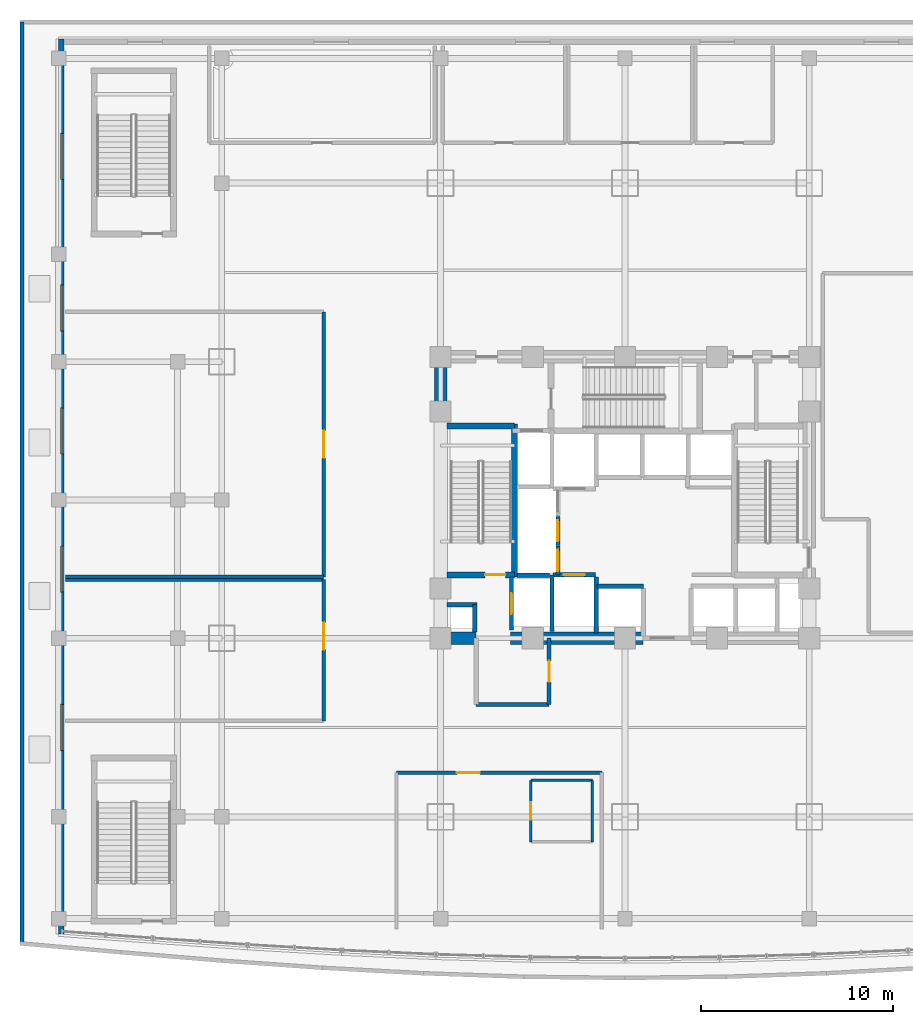
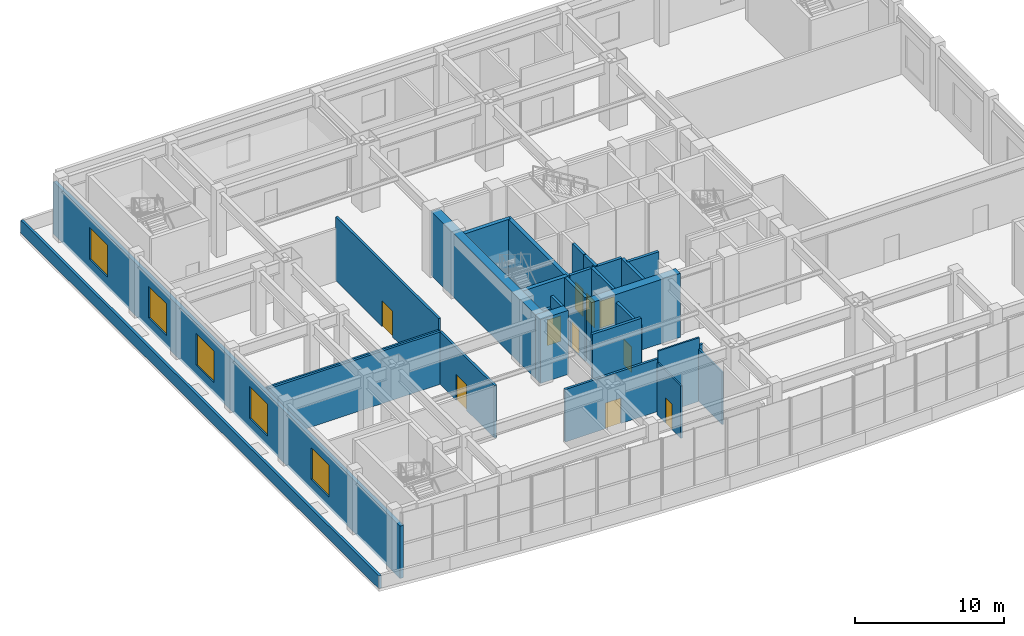
# One storey, part 12 of 24: 28 walls, 10 doors, 5 windows, 15 openings.
"""IFC4 building model written with IfcOpenShell, lengths in metres."""

from ifc_helpers import new_model, si_unit, direction, frame, frame_2d, origin, place, context, subcontext, project, spatial, rectangle, extrude, material, layer, layer_set, type_object, element, fill, save


model = new_model("IFC4")

# Units and contexts
model_context = context("Model", 3, precision=1e-05, world=origin(), true_north=direction((0.0, 1.0)))
body_context = subcontext(model_context, "Body", "Model", "MODEL_VIEW")
ifc_project = project(units=[si_unit("LENGTHUNIT", "METRE"), si_unit("AREAUNIT", "SQUARE_METRE"), si_unit("VOLUMEUNIT", "CUBIC_METRE"), si_unit("PLANEANGLEUNIT", "RADIAN"), si_unit("MASSUNIT", "GRAM", prefix="KILO")], contexts=[model_context])

# Site, building, storey
site_placement = place(None, origin())
site = spatial("IfcSite", under=ifc_project, at=site_placement, CompositionType="ELEMENT")
building_placement = place(site_placement, origin())
building = spatial("IfcBuilding", under=site, at=building_placement, Name="Vantalir Tower", CompositionType="ELEMENT")
storey_placement = place(building_placement, frame((0.0, 0.0, 16.0)))
storey = spatial("IfcBuildingStorey", under=building, at=storey_placement, Name="L03", CompositionType="ELEMENT", Elevation=16.0)

# Wall, opening, door
ifc_material_1 = material(Name="Moisture-resistant en-suite partition", Category="gypsum")
ifc_layer_1 = layer(ifc_material_1, 0.125)
ifc_layer_set_1 = layer_set([ifc_layer_1], Name="Moisture-resistant en-suite partition")
wall_type_1 = type_object("IfcWallType", Name="WL-BATH-125", PredefinedType="PARTITIONING", material=ifc_layer_set_1)
wall_1_placement = place(storey_placement, frame((26.60009765625, 7.199951171875, 0.0), z_axis=(0.0, 0.0, 1.0), x_axis=(0.0, 1.0, 0.0)))
wall_1 = element("IfcWall", 1, at=wall_1_placement, inside=storey, type_object=wall_type_1, Name="L03 VIP En-suite West Wall", PredefinedType="PARTITIONING", context=body_context, shape_type="SweptSolid", body=[
    extrude(rectangle(XDim=3.199951171875, YDim=0.125, at=frame_2d((1.60009765625, 0.0))), origin(), (0.0, 0.0, 1.0), 4.298095703125),
])
opening_1_placement = place(wall_1_placement, frame((1.14990234375, 0.0, 0.0)))
opening_1 = element("IfcOpeningElement", 2, at=opening_1_placement, cuts=wall_1, Name="Opening D-WC", PredefinedType="OPENING", context=body_context, shape_type="SweptSolid", body=[
    extrude(rectangle(XDim=0.89990234375, YDim=2.10009765625, at=frame_2d((0.449951171875, 1.050048828125))), frame((0.0, 0.072509765625, 0.0), z_axis=(0.0, -1.0, 0.0), x_axis=(1.0, 0.0, 0.0)), (0.0, 0.0, 1.0), 0.14501953125),
])
ifc_material_2 = material(Name="Moisture-resistant hardwood door", Category="wood")
door_type_1 = type_object("IfcDoorType", Name="DR-ENSUITE-900", OperationType="NOTDEFINED", PredefinedType="DOOR", material=ifc_material_2)
door_1_placement = place(opening_1_placement, frame((0.89990234375, 0.0, 0.0), z_axis=(0.0, 0.0, 1.0), x_axis=(-1.0, 0.0, 0.0)))
door_1 = element("IfcDoor", 3, at=door_1_placement, inside=storey, type_object=door_type_1, Name="L03 VIP En-suite Door", OperationType="SINGLE_SWING_RIGHT", OverallHeight=2.10009765625, OverallWidth=0.89990234375, PredefinedType="DOOR", context=body_context, shape_type="SweptSolid", body=[
    extrude(rectangle(XDim=0.89990234375, YDim=2.10009765625, at=frame_2d((0.449951171875, 1.050048828125))), frame((0.0, 0.02490234375, 0.0), z_axis=(0.0, -1.0, 0.0), x_axis=(1.0, 0.0, 0.0)), (0.0, 0.0, 1.0), 0.050048828125),
])
fill(opening_1, door_1)

# Walls
wall_2_placement = place(storey_placement, frame((29.800048828125, 7.199951171875, 0.0), z_axis=(0.0, 0.0, 1.0), x_axis=(0.0, 1.0, 0.0)))
element("IfcWall", 4, at=wall_2_placement, inside=storey, type_object=wall_type_1, Name="L03 VIP En-suite East Wall", PredefinedType="PARTITIONING", context=body_context, shape_type="SweptSolid", body=[
    extrude(rectangle(XDim=3.199951171875, YDim=0.125, at=frame_2d((1.60009765625, 0.0))), origin(), (0.0, 0.0, 1.0), 4.298095703125),
])
wall_3_placement = place(storey_placement, frame((26.60009765625, 10.39990234375, 0.0), z_axis=(0.0, 0.0, 1.0), x_axis=(1.0, 0.0, 0.0)))
element("IfcWall", 5, at=wall_3_placement, inside=storey, type_object=wall_type_1, Name="L03 VIP En-suite North Wall", PredefinedType="PARTITIONING", context=body_context, shape_type="SweptSolid", body=[
    extrude(rectangle(XDim=3.199951171875, YDim=0.125, at=frame_2d((1.60009765625, 0.0))), origin(), (0.0, 0.0, 1.0), 5.22998046875),
])
ifc_material_3 = material(Name="Concrete C60/75", Category="concrete")
ifc_layer_2 = layer(ifc_material_3, 0.64990234375)
ifc_layer_set_2 = layer_set([ifc_layer_2], Name="Concrete C60/75")
wall_type_2 = type_object("IfcWallType", Name="WL-CORE-650", PredefinedType="SHEAR", material=ifc_layer_set_2)
wall_4_placement = place(storey_placement, frame((21.574951171875, 17.800048828125, 0.0), z_axis=(0.0, 0.0, 1.0), x_axis=(1.0, 0.0, 0.0)))
element("IfcWall", 6, at=wall_4_placement, inside=storey, type_object=wall_type_2, Name="L03 Core Shear Wall South-West", PredefinedType="SHEAR", context=body_context, shape_type="SweptSolid", body=[
    extrude(rectangle(XDim=2.175048828125, YDim=0.64990234375, at=frame_2d((1.08740234375, 0.0))), origin(), (0.0, 0.0, 1.0), 5.25),
])
wall_5_placement = place(storey_placement, frame((25.550048828125, 17.800048828125, 0.0), z_axis=(0.0, 0.0, 1.0), x_axis=(1.0, 0.0, 0.0)))
element("IfcWall", 7, at=wall_5_placement, inside=storey, type_object=wall_type_2, Name="L03 Core Shear Wall South-Mid", PredefinedType="SHEAR", context=body_context, shape_type="SweptSolid", body=[
    extrude(rectangle(XDim=6.89990234375, YDim=0.64990234375, at=frame_2d((3.449951171875, 0.0))), origin(), (0.0, 0.0, 1.0), 5.25),
])
wall_6_placement = place(storey_placement, frame((21.89990234375, 18.125, 0.0), z_axis=(0.0, 0.0, 1.0), x_axis=(0.0, 1.0, 0.0)))
element("IfcWall", 8, at=wall_6_placement, inside=storey, type_object=wall_type_2, Name="L03 Core Shear Wall West", PredefinedType="SHEAR", context=body_context, shape_type="SweptSolid", body=[
    extrude(rectangle(XDim=14.0, YDim=0.64990234375, at=frame_2d((7.0, 0.0))), origin(), (0.0, 0.0, 1.0), 5.25),
])

# Wall, openings, windows
ifc_material_4 = material(Name="Precast concrete C40/50 with insulated PVDF rainscreen", Category="concrete")
ifc_layer_3 = layer(ifc_material_4, 0.280029296875)
ifc_layer_set_3 = layer_set([ifc_layer_3], Name="Precast concrete C40/50 with insulated PVDF rainscreen")
wall_type_3 = type_object("IfcWallType", Name="WL-EXT-POD-280", PredefinedType="SOLIDWALL", material=ifc_layer_set_3)
wall_7_placement = place(storey_placement, frame((2.139892578125, 49.0, 0.0), z_axis=(0.0, 0.0, 1.0), x_axis=(0.0, -1.0, 0.0)))
wall_7 = element("IfcWall", 9, at=wall_7_placement, inside=storey, type_object=wall_type_3, Name="L03 Podium West Precast Facade Wall", PredefinedType="SOLIDWALL", context=body_context, shape_type="SweptSolid", body=[
    extrude(rectangle(XDim=46.60009765625, YDim=0.280029296875, at=frame_2d((23.300048828125, 0.0))), origin(), (0.0, 0.0, 1.0), 4.304931640625),
])
opening_2_placement = place(wall_7_placement, frame((34.64990234375, 0.0, 0.89990234375)))
opening_2 = element("IfcOpeningElement", 10, at=opening_2_placement, cuts=wall_7, Name="Opening WN-1", PredefinedType="OPENING", context=body_context, shape_type="SweptSolid", body=[
    extrude(rectangle(XDim=2.39990234375, YDim=2.60009765625, at=frame_2d((1.199951171875, 1.300048828125))), frame((0.0, 0.14990234375, 0.0), z_axis=(0.0, -1.0, 0.0), x_axis=(1.0, 0.0, 0.0)), (0.0, 0.0, 1.0), 0.300048828125),
])
opening_3_placement = place(wall_7_placement, frame((26.39990234375, 0.0, 0.89990234375)))
opening_3 = element("IfcOpeningElement", 11, at=opening_3_placement, cuts=wall_7, Name="Opening WN-1", PredefinedType="OPENING", context=body_context, shape_type="SweptSolid", body=[
    extrude(rectangle(XDim=2.39990234375, YDim=2.60009765625, at=frame_2d((1.199951171875, 1.300048828125))), frame((0.0, 0.14990234375, 0.0), z_axis=(0.0, -1.0, 0.0), x_axis=(1.0, 0.0, 0.0)), (0.0, 0.0, 1.0), 0.300048828125),
])
opening_4_placement = place(wall_7_placement, frame((19.199951171875, 0.0, 0.89990234375)))
opening_4 = element("IfcOpeningElement", 12, at=opening_4_placement, cuts=wall_7, Name="Opening WN-1", PredefinedType="OPENING", context=body_context, shape_type="SweptSolid", body=[
    extrude(rectangle(XDim=2.39990234375, YDim=2.60009765625, at=frame_2d((1.199951171875, 1.300048828125))), frame((0.0, 0.14990234375, 0.0), z_axis=(0.0, -1.0, 0.0), x_axis=(1.0, 0.0, 0.0)), (0.0, 0.0, 1.0), 0.300048828125),
])
opening_5_placement = place(wall_7_placement, frame((12.800048828125, 0.0, 0.89990234375)))
opening_5 = element("IfcOpeningElement", 13, at=opening_5_placement, cuts=wall_7, Name="Opening WN-1", PredefinedType="OPENING", context=body_context, shape_type="SweptSolid", body=[
    extrude(rectangle(XDim=2.39990234375, YDim=2.60009765625, at=frame_2d((1.199951171875, 1.300048828125))), frame((0.0, 0.14990234375, 0.0), z_axis=(0.0, -1.0, 0.0), x_axis=(1.0, 0.0, 0.0)), (0.0, 0.0, 1.0), 0.300048828125),
])
opening_6_placement = place(wall_7_placement, frame((4.89990234375, 0.0, 0.89990234375)))
opening_6 = element("IfcOpeningElement", 14, at=opening_6_placement, cuts=wall_7, Name="Opening WN-1", PredefinedType="OPENING", context=body_context, shape_type="SweptSolid", body=[
    extrude(rectangle(XDim=2.39990234375, YDim=2.60009765625, at=frame_2d((1.199951171875, 1.300048828125))), frame((0.0, 0.14990234375, 0.0), z_axis=(0.0, -1.0, 0.0), x_axis=(1.0, 0.0, 0.0)), (0.0, 0.0, 1.0), 0.300048828125),
])
ifc_material_5 = material(Name="Double-silver Low-E thermally broken window", Category="glass")
window_type = type_object("IfcWindowType", Name="WIN-POD-2400x2600", PartitioningType="SINGLE_PANEL", PredefinedType="WINDOW", material=ifc_material_5)
window_1_placement = place(opening_2_placement, origin())
window_1 = element("IfcWindow", 15, at=window_1_placement, inside=storey, type_object=window_type, Name="L03 West Podium Window W01", OverallHeight=2.60009765625, OverallWidth=2.39990234375, PartitioningType="SINGLE_PANEL", PredefinedType="WINDOW", context=body_context, shape_type="SweptSolid", body=[
    extrude(rectangle(XDim=2.39990234375, YDim=2.60009765625, at=frame_2d((1.199951171875, 1.300048828125))), frame((0.0, 0.030029296875, 0.0), z_axis=(0.0, -1.0, 0.0), x_axis=(1.0, 0.0, 0.0)), (0.0, 0.0, 1.0), 0.06005859375),
])
fill(opening_2, window_1)
window_2_placement = place(opening_3_placement, origin())
window_2 = element("IfcWindow", 16, at=window_2_placement, inside=storey, type_object=window_type, Name="L03 West Podium Window W02", OverallHeight=2.60009765625, OverallWidth=2.39990234375, PartitioningType="SINGLE_PANEL", PredefinedType="WINDOW", context=body_context, shape_type="SweptSolid", body=[
    extrude(rectangle(XDim=2.39990234375, YDim=2.60009765625, at=frame_2d((1.199951171875, 1.300048828125))), frame((0.0, 0.030029296875, 0.0), z_axis=(0.0, -1.0, 0.0), x_axis=(1.0, 0.0, 0.0)), (0.0, 0.0, 1.0), 0.06005859375),
])
fill(opening_3, window_2)
window_3_placement = place(opening_4_placement, origin())
window_3 = element("IfcWindow", 17, at=window_3_placement, inside=storey, type_object=window_type, Name="L03 West Podium Window W03", OverallHeight=2.60009765625, OverallWidth=2.39990234375, PartitioningType="SINGLE_PANEL", PredefinedType="WINDOW", context=body_context, shape_type="SweptSolid", body=[
    extrude(rectangle(XDim=2.39990234375, YDim=2.60009765625, at=frame_2d((1.199951171875, 1.300048828125))), frame((0.0, 0.030029296875, 0.0), z_axis=(0.0, -1.0, 0.0), x_axis=(1.0, 0.0, 0.0)), (0.0, 0.0, 1.0), 0.06005859375),
])
fill(opening_4, window_3)
window_4_placement = place(opening_5_placement, origin())
window_4 = element("IfcWindow", 18, at=window_4_placement, inside=storey, type_object=window_type, Name="L03 West Podium Window W04", OverallHeight=2.60009765625, OverallWidth=2.39990234375, PartitioningType="SINGLE_PANEL", PredefinedType="WINDOW", context=body_context, shape_type="SweptSolid", body=[
    extrude(rectangle(XDim=2.39990234375, YDim=2.60009765625, at=frame_2d((1.199951171875, 1.300048828125))), frame((0.0, 0.030029296875, 0.0), z_axis=(0.0, -1.0, 0.0), x_axis=(1.0, 0.0, 0.0)), (0.0, 0.0, 1.0), 0.06005859375),
])
fill(opening_5, window_4)
window_5_placement = place(opening_6_placement, origin())
window_5 = element("IfcWindow", 19, at=window_5_placement, inside=storey, type_object=window_type, Name="L03 West Podium Window W05", OverallHeight=2.60009765625, OverallWidth=2.39990234375, PartitioningType="SINGLE_PANEL", PredefinedType="WINDOW", context=body_context, shape_type="SweptSolid", body=[
    extrude(rectangle(XDim=2.39990234375, YDim=2.60009765625, at=frame_2d((1.199951171875, 1.300048828125))), frame((0.0, 0.030029296875, 0.0), z_axis=(0.0, -1.0, 0.0), x_axis=(1.0, 0.0, 0.0)), (0.0, 0.0, 1.0), 0.06005859375),
])
fill(opening_6, window_5)

# Walls
ifc_material_6 = material(Name="Concrete blockwork with fireboard lining", Category="masonry")
ifc_layer_4 = layer(ifc_material_6, 0.219970703125)
ifc_layer_set_4 = layer_set([ifc_layer_4], Name="Concrete blockwork with fireboard lining")
wall_type_4 = type_object("IfcWallType", Name="WL-FFL-220", PredefinedType="PARTITIONING", material=ifc_layer_set_4)
wall_8_placement = place(storey_placement, frame((30.0, 18.080078125, 0.0), z_axis=(0.0, 0.0, 1.0), x_axis=(0.0, 1.0, 0.0)))
element("IfcWall", 20, at=wall_8_placement, inside=storey, type_object=wall_type_4, Name="L03 Service Lift SV1 East Shaft Wall", PredefinedType="PARTITIONING", context=body_context, shape_type="SweptSolid", body=[
    extrude(rectangle(XDim=2.89990234375, YDim=0.219970703125, at=frame_2d((1.449951171875, 0.0))), origin(), (0.0, 0.0, 1.0), 5.22509765625),
])
wall_9_placement = place(storey_placement, frame((23.679931640625, 18.125, 0.0), z_axis=(0.0, 0.0, 1.0), x_axis=(0.0, 1.0, 0.0)))
element("IfcWall", 21, at=wall_9_placement, inside=storey, type_object=wall_type_4, Name="L03 West MEP Riser Wall E", PredefinedType="PARTITIONING", context=body_context, shape_type="SweptSolid", body=[
    extrude(rectangle(XDim=1.425048828125, YDim=0.219970703125, at=frame_2d((0.71240234375, 0.0))), origin(), (0.0, 0.0, 1.0), 5.22998046875),
])
wall_10_placement = place(storey_placement, frame((22.22509765625, 19.550048828125, 0.0), z_axis=(0.0, 0.0, 1.0), x_axis=(1.0, 0.0, 0.0)))
element("IfcWall", 22, at=wall_10_placement, inside=storey, type_object=wall_type_4, Name="L03 West MEP Riser Wall N", PredefinedType="PARTITIONING", context=body_context, shape_type="SweptSolid", body=[
    extrude(rectangle(XDim=1.56494140625, YDim=0.219970703125, at=frame_2d((0.782470703125, 0.0))), origin(), (0.0, 0.0, 1.0), 4.27490234375),
])

# Wall, opening, door
wall_11_placement = place(storey_placement, frame((25.590087890625, 18.219970703125, 0.0), z_axis=(0.0, 0.0, 1.0), x_axis=(0.0, 1.0, 0.0)))
wall_11 = element("IfcWall", 23, at=wall_11_placement, inside=storey, type_object=wall_type_4, Name="L03 Lift FL1 Shaft Front Wall", PredefinedType="PARTITIONING", context=body_context, shape_type="SweptSolid", body=[
    extrude(rectangle(XDim=2.760009765625, YDim=0.219970703125, at=frame_2d((1.3798828125, 0.0))), origin(), (0.0, 0.0, 1.0), 5.22998046875),
])
opening_7_placement = place(wall_11_placement, frame((0.830078125, 0.0, 0.0)))
opening_7 = element("IfcOpeningElement", 24, at=opening_7_placement, cuts=wall_11, Name="Opening LD-FL1", PredefinedType="OPENING", context=body_context, shape_type="SweptSolid", body=[
    extrude(rectangle(XDim=1.10009765625, YDim=2.199951171875, at=frame_2d((0.550048828125, 1.10009765625))), frame((0.0, 0.119873046875, 0.0), z_axis=(0.0, -1.0, 0.0), x_axis=(1.0, 0.0, 0.0)), (0.0, 0.0, 1.0), 0.239990234375),
])
ifc_material_7 = material(Name="Brushed stainless-steel sliding lift landing door", Category="steel")
door_type_2 = type_object("IfcDoorType", Name="DR-LIFT-LANDING-1100", OperationType="DOUBLE_DOOR_SLIDING", PredefinedType="DOOR", material=ifc_material_7)
door_2_placement = place(opening_7_placement, origin())
door_2 = element("IfcDoor", 25, at=door_2_placement, inside=storey, type_object=door_type_2, Name="L03 Lift Landing Door FL1", OperationType="DOUBLE_DOOR_SLIDING", OverallHeight=2.199951171875, OverallWidth=1.10009765625, PredefinedType="DOOR", context=body_context, shape_type="SweptSolid", body=[
    extrude(rectangle(XDim=1.10009765625, YDim=2.199951171875, at=frame_2d((0.550048828125, 1.10009765625))), frame((0.0, 0.02490234375, 0.0), z_axis=(0.0, -1.0, 0.0), x_axis=(1.0, 0.0, 0.0)), (0.0, 0.0, 1.0), 0.050048828125),
])
fill(opening_7, door_2)

wall_12_placement = place(storey_placement, frame((27.739990234375, 21.110107421875, 0.0), z_axis=(0.0, 0.0, 1.0), x_axis=(1.0, 0.0, 0.0)))
wall_12 = element("IfcWall", 26, at=wall_12_placement, inside=storey, type_object=wall_type_4, Name="L03 Lift SV1 Shaft Front Wall", PredefinedType="PARTITIONING", context=body_context, shape_type="SweptSolid", body=[
    extrude(rectangle(XDim=2.219970703125, YDim=0.219970703125, at=frame_2d((1.10986328125, 0.0))), origin(), (0.0, 0.0, 1.0), 5.22998046875),
])
opening_8_placement = place(wall_12_placement, frame((0.56005859375, 0.0, 0.0)))
opening_8 = element("IfcOpeningElement", 27, at=opening_8_placement, cuts=wall_12, Name="Opening LD-SV1", PredefinedType="OPENING", context=body_context, shape_type="SweptSolid", body=[
    extrude(rectangle(XDim=1.10009765625, YDim=2.199951171875, at=frame_2d((0.550048828125, 1.10009765625))), frame((0.0, 0.119873046875, 0.0), z_axis=(0.0, -1.0, 0.0), x_axis=(1.0, 0.0, 0.0)), (0.0, 0.0, 1.0), 0.239990234375),
])
door_3_placement = place(opening_8_placement, origin())
door_3 = element("IfcDoor", 28, at=door_3_placement, inside=storey, type_object=door_type_2, Name="L03 Lift Landing Door SV1", OperationType="DOUBLE_DOOR_SLIDING", OverallHeight=2.199951171875, OverallWidth=1.10009765625, PredefinedType="DOOR", context=body_context, shape_type="SweptSolid", body=[
    extrude(rectangle(XDim=1.10009765625, YDim=2.199951171875, at=frame_2d((0.550048828125, 1.10009765625))), frame((0.0, 0.02490234375, 0.0), z_axis=(0.0, -1.0, 0.0), x_axis=(1.0, 0.0, 0.0)), (0.0, 0.0, 1.0), 0.050048828125),
])
fill(opening_8, door_3)

# Wall
wall_13_placement = place(storey_placement, frame((30.0400390625, 20.510009765625, 0.0), z_axis=(0.0, 0.0, 1.0), x_axis=(1.0, 0.0, 0.0)))
element("IfcWall", 29, at=wall_13_placement, inside=storey, type_object=wall_type_4, Name="L03 Lift PL-X1 Shaft Front Wall", PredefinedType="PARTITIONING", context=body_context, shape_type="SweptSolid", body=[
    extrude(rectangle(XDim=2.419921875, YDim=0.219970703125, at=frame_2d((1.2099609375, 0.0))), origin(), (0.0, 0.0, 1.0), 5.22998046875),
])

# Wall, opening, door
wall_14_placement = place(storey_placement, frame((28.010009765625, 21.10009765625, 0.0), z_axis=(0.0, 0.0, 1.0), x_axis=(0.0, 1.0, 0.0)))
wall_14 = element("IfcWall", 30, at=wall_14_placement, inside=storey, type_object=wall_type_4, Name="L03 Lift PL-L1 Shaft Front Wall", PredefinedType="PARTITIONING", context=body_context, shape_type="SweptSolid", body=[
    extrude(rectangle(XDim=1.5, YDim=0.219970703125, at=frame_2d((0.75, 0.0))), origin(), (0.0, 0.0, 1.0), 5.22998046875),
])
opening_9_placement = place(wall_14_placement, frame((0.199951171875, 0.0, 0.0)))
opening_9 = element("IfcOpeningElement", 31, at=opening_9_placement, cuts=wall_14, Name="Opening LD-PL-L1", PredefinedType="OPENING", context=body_context, shape_type="SweptSolid", body=[
    extrude(rectangle(XDim=1.10009765625, YDim=2.199951171875, at=frame_2d((0.550048828125, 1.10009765625))), frame((0.0, 0.119873046875, 0.0), z_axis=(0.0, -1.0, 0.0), x_axis=(1.0, 0.0, 0.0)), (0.0, 0.0, 1.0), 0.239990234375),
])
door_4_placement = place(opening_9_placement, frame((1.10009765625, 0.0, 0.0), z_axis=(0.0, 0.0, 1.0), x_axis=(-1.0, 0.0, 0.0)))
door_4 = element("IfcDoor", 32, at=door_4_placement, inside=storey, type_object=door_type_2, Name="L03 Lift Landing Door PL-L1", OperationType="DOUBLE_DOOR_SLIDING", OverallHeight=2.199951171875, OverallWidth=1.10009765625, PredefinedType="DOOR", context=body_context, shape_type="SweptSolid", body=[
    extrude(rectangle(XDim=1.10009765625, YDim=2.199951171875, at=frame_2d((0.550048828125, 1.10009765625))), frame((0.0, 0.02490234375, 0.0), z_axis=(0.0, -1.0, 0.0), x_axis=(1.0, 0.0, 0.0)), (0.0, 0.0, 1.0), 0.050048828125),
])
fill(opening_9, door_4)

wall_15_placement = place(storey_placement, frame((28.010009765625, 22.639892578125, 0.0), z_axis=(0.0, 0.0, 1.0), x_axis=(0.0, 1.0, 0.0)))
wall_15 = element("IfcWall", 33, at=wall_15_placement, inside=storey, type_object=wall_type_4, Name="L03 Lift PL-L2 Shaft Front Wall", PredefinedType="PARTITIONING", context=body_context, shape_type="SweptSolid", body=[
    extrude(rectangle(XDim=1.5, YDim=0.219970703125, at=frame_2d((0.75, 0.0))), origin(), (0.0, 0.0, 1.0), 5.22998046875),
])
opening_10_placement = place(wall_15_placement, frame((0.199951171875, 0.0, 0.0)))
opening_10 = element("IfcOpeningElement", 34, at=opening_10_placement, cuts=wall_15, Name="Opening LD-PL-L2", PredefinedType="OPENING", context=body_context, shape_type="SweptSolid", body=[
    extrude(rectangle(XDim=1.10009765625, YDim=2.199951171875, at=frame_2d((0.550048828125, 1.10009765625))), frame((0.0, 0.119873046875, 0.0), z_axis=(0.0, -1.0, 0.0), x_axis=(1.0, 0.0, 0.0)), (0.0, 0.0, 1.0), 0.239990234375),
])
door_5_placement = place(opening_10_placement, frame((1.10009765625, 0.0, 0.0), z_axis=(0.0, 0.0, 1.0), x_axis=(-1.0, 0.0, 0.0)))
door_5 = element("IfcDoor", 35, at=door_5_placement, inside=storey, type_object=door_type_2, Name="L03 Lift Landing Door PL-L2", OperationType="DOUBLE_DOOR_SLIDING", OverallHeight=2.199951171875, OverallWidth=1.10009765625, PredefinedType="DOOR", context=body_context, shape_type="SweptSolid", body=[
    extrude(rectangle(XDim=1.10009765625, YDim=2.199951171875, at=frame_2d((0.550048828125, 1.10009765625))), frame((0.0, 0.02490234375, 0.0), z_axis=(0.0, -1.0, 0.0), x_axis=(1.0, 0.0, 0.0)), (0.0, 0.0, 1.0), 0.050048828125),
])
fill(opening_10, door_5)

# Walls
wall_16_placement = place(storey_placement, frame((27.699951171875, 18.14990234375, 0.0), z_axis=(0.0, 0.0, 1.0), x_axis=(0.0, 1.0, 0.0)))
element("IfcWall", 36, at=wall_16_placement, inside=storey, type_object=wall_type_4, Name="L03 Fire Lift FL1 Dividing Wall", PredefinedType="PARTITIONING", context=body_context, shape_type="SweptSolid", body=[
    extrude(rectangle(XDim=2.9501953125, YDim=0.219970703125, at=frame_2d((1.47509765625, 0.0))), origin(), (0.0, 0.0, 1.0), 5.22998046875),
])
wall_17_placement = place(storey_placement, frame((25.8798828125, 21.080078125, 0.0), z_axis=(0.0, 0.0, 1.0), x_axis=(1.0, 0.0, 0.0)))
element("IfcWall", 37, at=wall_17_placement, inside=storey, type_object=wall_type_4, Name="L03 Low-Rise Bank South Wall", PredefinedType="PARTITIONING", context=body_context, shape_type="SweptSolid", body=[
    extrude(rectangle(XDim=1.7001953125, YDim=0.219970703125, at=frame_2d((0.85009765625, 0.0))), origin(), (0.0, 0.0, 1.0), 5.22998046875),
])
wall_18_placement = place(storey_placement, frame((23.75, 14.35009765625, 0.0), z_axis=(0.0, 0.0, 1.0), x_axis=(1.0, 0.0, 0.0)))
element("IfcWall", 38, at=wall_18_placement, inside=storey, type_object=wall_type_4, Name="L03 Firefighting Lobby West South Wall", PredefinedType="PARTITIONING", context=body_context, shape_type="SweptSolid", body=[
    extrude(rectangle(XDim=3.800048828125, YDim=0.219970703125, at=frame_2d((1.89990234375, 0.0))), origin(), (0.0, 0.0, 1.0), 5.22998046875),
])

# Wall, opening, door
wall_19_placement = place(storey_placement, frame((27.550048828125, 14.35009765625, 0.0), z_axis=(0.0, 0.0, 1.0), x_axis=(0.0, 1.0, 0.0)))
wall_19 = element("IfcWall", 39, at=wall_19_placement, inside=storey, type_object=wall_type_4, Name="L03 Firefighting Lobby West East Wall", PredefinedType="PARTITIONING", context=body_context, shape_type="SweptSolid", body=[
    extrude(rectangle(XDim=3.449951171875, YDim=0.219970703125, at=frame_2d((1.72509765625, 0.0))), origin(), (0.0, 0.0, 1.0), 4.60888671875),
])
opening_11_placement = place(wall_19_placement, frame((1.175048828125, 0.0, 0.0)))
opening_11 = element("IfcOpeningElement", 40, at=opening_11_placement, cuts=wall_19, Name="Opening D-FFL", PredefinedType="OPENING", context=body_context, shape_type="SweptSolid", body=[
    extrude(rectangle(XDim=1.10009765625, YDim=2.10009765625, at=frame_2d((0.550048828125, 1.050048828125))), frame((0.0, 0.119873046875, 0.0), z_axis=(0.0, -1.0, 0.0), x_axis=(1.0, 0.0, 0.0)), (0.0, 0.0, 1.0), 0.239990234375),
])
ifc_material_8 = material(Name="Fire-rated acoustic steel door", Category="steel")
door_type_3 = type_object("IfcDoorType", Name="DR-FIRE-LOBBY-1100", OperationType="NOTDEFINED", PredefinedType="DOOR", material=ifc_material_8)
door_6_placement = place(opening_11_placement, origin())
door_6 = element("IfcDoor", 41, at=door_6_placement, inside=storey, type_object=door_type_3, Name="L03 Firefighting Lobby West Access Door", OperationType="SINGLE_SWING_RIGHT", OverallHeight=2.10009765625, OverallWidth=1.10009765625, PredefinedType="DOOR", context=body_context, shape_type="SweptSolid", body=[
    extrude(rectangle(XDim=1.10009765625, YDim=2.10009765625, at=frame_2d((0.550048828125, 1.050048828125))), frame((0.0, 0.02490234375, 0.0), z_axis=(0.0, -1.0, 0.0), x_axis=(1.0, 0.0, 0.0)), (0.0, 0.0, 1.0), 0.050048828125),
])
fill(opening_11, door_6)

# Wall
ifc_material_9 = material(Name="Twin-stud acoustic fire-rated gypsum partition", Category="gypsum")
ifc_layer_5 = layer(ifc_material_9, 0.179931640625)
ifc_layer_set_5 = layer_set([ifc_layer_5], Name="Twin-stud acoustic fire-rated gypsum partition")
wall_type_5 = type_object("IfcWallType", Name="WL-GUEST-180", PredefinedType="PARTITIONING", material=ifc_layer_set_5)
wall_20_placement = place(storey_placement, frame((2.35009765625, 21.0, 0.0), z_axis=(0.0, 0.0, 1.0), x_axis=(1.0, 0.0, 0.0)))
element("IfcWall", 42, at=wall_20_placement, inside=storey, type_object=wall_type_5, Name="L03 Commercial Banquet Production Kitchen South Wall", PredefinedType="PARTITIONING", context=body_context, shape_type="SweptSolid", body=[
    extrude(rectangle(XDim=13.449951171875, YDim=0.179931640625, at=frame_2d((6.72509765625, 0.0))), origin(), (0.0, 0.0, 1.0), 4.298095703125),
])

# Wall, opening, door
wall_21_placement = place(storey_placement, frame((15.800048828125, 21.0, 0.0), z_axis=(0.0, 0.0, 1.0), x_axis=(0.0, 1.0, 0.0)))
wall_21 = element("IfcWall", 43, at=wall_21_placement, inside=storey, type_object=wall_type_5, Name="L03 Commercial Banquet Production Kitchen East Wall", PredefinedType="PARTITIONING", context=body_context, shape_type="SweptSolid", body=[
    extrude(rectangle(XDim=13.800048828125, YDim=0.179931640625, at=frame_2d((6.89990234375, 0.0))), origin(), (0.0, 0.0, 1.0), 5.22998046875),
])
opening_12_placement = place(wall_21_placement, frame((6.199951171875, 0.0, 0.0)))
opening_12 = element("IfcOpeningElement", 44, at=opening_12_placement, cuts=wall_21, Name="Opening D-PLANT", PredefinedType="OPENING", context=body_context, shape_type="SweptSolid", body=[
    extrude(rectangle(XDim=1.39990234375, YDim=2.10009765625, at=frame_2d((0.699951171875, 1.050048828125))), frame((0.0, 0.099853515625, 0.0), z_axis=(0.0, -1.0, 0.0), x_axis=(1.0, 0.0, 0.0)), (0.0, 0.0, 1.0), 0.199951171875),
])
ifc_material_10 = material(Name="Louvred fire-rated steel plant double door", Category="steel")
door_type_4 = type_object("IfcDoorType", Name="DR-PLANT-1400", OperationType="DOUBLE_DOOR_SINGLE_SWING", PredefinedType="DOOR", material=ifc_material_10)
door_7_placement = place(opening_12_placement, origin())
door_7 = element("IfcDoor", 45, at=door_7_placement, inside=storey, type_object=door_type_4, Name="L03 Commercial Banquet Production Kitchen Door", OperationType="DOUBLE_DOOR_SINGLE_SWING", OverallHeight=2.10009765625, OverallWidth=1.39990234375, PredefinedType="DOOR", context=body_context, shape_type="SweptSolid", body=[
    extrude(rectangle(XDim=1.39990234375, YDim=2.10009765625, at=frame_2d((0.699951171875, 1.050048828125))), frame((0.0, 0.02490234375, 0.0), z_axis=(0.0, -1.0, 0.0), x_axis=(1.0, 0.0, 0.0)), (0.0, 0.0, 1.0), 0.050048828125),
])
fill(opening_12, door_7)

# Wall
wall_22_placement = place(storey_placement, frame((2.35009765625, 20.85009765625, 0.0), z_axis=(0.0, 0.0, 1.0), x_axis=(1.0, 0.0, 0.0)))
element("IfcWall", 46, at=wall_22_placement, inside=storey, type_object=wall_type_5, Name="L03 Banquet Chair and Table Store North Wall", PredefinedType="PARTITIONING", context=body_context, shape_type="SweptSolid", body=[
    extrude(rectangle(XDim=13.449951171875, YDim=0.179931640625, at=frame_2d((6.72509765625, 0.0))), origin(), (0.0, 0.0, 1.0), 4.298095703125),
])

# Wall, opening, door
wall_23_placement = place(storey_placement, frame((15.800048828125, 13.5, 0.0), z_axis=(0.0, 0.0, 1.0), x_axis=(0.0, 1.0, 0.0)))
wall_23 = element("IfcWall", 47, at=wall_23_placement, inside=storey, type_object=wall_type_5, Name="L03 Banquet Chair and Table Store East Wall", PredefinedType="PARTITIONING", context=body_context, shape_type="SweptSolid", body=[
    extrude(rectangle(XDim=7.35009765625, YDim=0.179931640625, at=frame_2d((3.675048828125, 0.0))), origin(), (0.0, 0.0, 1.0), 4.298095703125),
])
opening_13_placement = place(wall_23_placement, frame((3.7099609375, 0.0, 0.0)))
opening_13 = element("IfcOpeningElement", 48, at=opening_13_placement, cuts=wall_23, Name="Opening D-PLANT", PredefinedType="OPENING", context=body_context, shape_type="SweptSolid", body=[
    extrude(rectangle(XDim=1.39990234375, YDim=2.10009765625, at=frame_2d((0.699951171875, 1.050048828125))), frame((0.0, 0.099853515625, 0.0), z_axis=(0.0, -1.0, 0.0), x_axis=(1.0, 0.0, 0.0)), (0.0, 0.0, 1.0), 0.199951171875),
])
door_8_placement = place(opening_13_placement, origin())
door_8 = element("IfcDoor", 49, at=door_8_placement, inside=storey, type_object=door_type_4, Name="L03 Banquet Chair and Table Store Door", OperationType="DOUBLE_DOOR_SINGLE_SWING", OverallHeight=2.10009765625, OverallWidth=1.39990234375, PredefinedType="DOOR", context=body_context, shape_type="SweptSolid", body=[
    extrude(rectangle(XDim=1.39990234375, YDim=2.10009765625, at=frame_2d((0.699951171875, 1.050048828125))), frame((0.0, 0.02490234375, 0.0), z_axis=(0.0, -1.0, 0.0), x_axis=(1.0, 0.0, 0.0)), (0.0, 0.0, 1.0), 0.050048828125),
])
fill(opening_13, door_8)

wall_24_placement = place(storey_placement, frame((19.60009765625, 10.800048828125, 0.0), z_axis=(0.0, 0.0, 1.0), x_axis=(1.0, 0.0, 0.0)))
wall_24 = element("IfcWall", 50, at=wall_24_placement, inside=storey, type_object=wall_type_5, Name="L03 VIP Bridal Hotel Suite North Wall", PredefinedType="PARTITIONING", context=body_context, shape_type="SweptSolid", body=[
    extrude(rectangle(XDim=10.699951171875, YDim=0.179931640625, at=frame_2d((5.35009765625, 0.0))), origin(), (0.0, 0.0, 1.0), 4.298095703125),
])
opening_14_placement = place(wall_24_placement, frame((3.14501953125, 0.0, 0.0)))
opening_14 = element("IfcOpeningElement", 51, at=opening_14_placement, cuts=wall_24, Name="Opening D-STE", PredefinedType="OPENING", context=body_context, shape_type="SweptSolid", body=[
    extrude(rectangle(XDim=1.199951171875, YDim=2.10009765625, at=frame_2d((0.60009765625, 1.050048828125))), frame((0.0, 0.099853515625, 0.0), z_axis=(0.0, -1.0, 0.0), x_axis=(1.0, 0.0, 0.0)), (0.0, 0.0, 1.0), 0.199951171875),
])
ifc_material_11 = material(Name="Solid-core teak veneer suite entrance door", Category="wood")
door_type_5 = type_object("IfcDoorType", Name="DR-SUITE-ENTRY-1200", OperationType="NOTDEFINED", PredefinedType="DOOR", material=ifc_material_11)
door_9_placement = place(opening_14_placement, frame((1.199951171875, 0.0, 0.0), z_axis=(0.0, 0.0, 1.0), x_axis=(-1.0, 0.0, 0.0)))
door_9 = element("IfcDoor", 52, at=door_9_placement, inside=storey, type_object=door_type_5, Name="L03 VIP Bridal Hotel Suite Door", OperationType="SINGLE_SWING_LEFT", OverallHeight=2.10009765625, OverallWidth=1.199951171875, PredefinedType="DOOR", context=body_context, shape_type="SweptSolid", body=[
    extrude(rectangle(XDim=1.199951171875, YDim=2.10009765625, at=frame_2d((0.60009765625, 1.050048828125))), frame((0.0, 0.02490234375, 0.0), z_axis=(0.0, -1.0, 0.0), x_axis=(1.0, 0.0, 0.0)), (0.0, 0.0, 1.0), 0.050048828125),
])
fill(opening_14, door_9)

# Wall
ifc_material_12 = material(Name="Concrete C40/50 parapet upstand", Category="concrete")
ifc_layer_6 = layer(ifc_material_12, 0.199951171875)
ifc_layer_set_6 = layer_set([ifc_layer_6], Name="Concrete C40/50 parapet upstand")
wall_type_6 = type_object("IfcWallType", Name="WL-PARA-200", PredefinedType="PARAPET", material=ifc_layer_set_6)
wall_25_placement = place(storey_placement, frame((0.10009765625, 49.89990234375, 0.239990234375), z_axis=(0.0, 0.0, 1.0), x_axis=(0.0, -1.0, 0.0)))
element("IfcWall", 53, at=wall_25_placement, inside=storey, type_object=wall_type_6, Name="L03 Setback Maintenance Parapet West", PredefinedType="PARAPET", context=body_context, shape_type="SweptSolid", body=[
    extrude(rectangle(XDim=48.099853515625, YDim=0.199951171875, at=frame_2d((24.0498046875, 0.0))), origin(), (0.0, 0.0, 1.0), 1.050048828125),
])

# Wall, opening, door
ifc_material_13 = material(Name="Concrete C50/60", Category="concrete")
ifc_layer_7 = layer(ifc_material_13, 0.300048828125)
ifc_layer_set_7 = layer_set([ifc_layer_7], Name="Concrete C50/60")
wall_type_7 = type_object("IfcWallType", Name="WL-STAIR-300", PredefinedType="SHEAR", material=ifc_layer_set_7)
wall_26_placement = place(storey_placement, frame((22.22509765625, 21.10009765625, 0.0), z_axis=(0.0, 0.0, 1.0), x_axis=(1.0, 0.0, 0.0)))
wall_26 = element("IfcWall", 54, at=wall_26_placement, inside=storey, type_object=wall_type_7, Name="L03 Stair ST1 South Wall", PredefinedType="SHEAR", context=body_context, shape_type="SweptSolid", body=[
    extrude(rectangle(XDim=3.514892578125, YDim=0.300048828125, at=frame_2d((1.75732421875, 0.0))), origin(), (0.0, 0.0, 1.0), 5.25),
])
opening_15_placement = place(wall_26_placement, frame((1.9951171875, 0.0, 0.0)))
opening_15 = element("IfcOpeningElement", 55, at=opening_15_placement, cuts=wall_26, Name="Opening D-ST", PredefinedType="OPENING", context=body_context, shape_type="SweptSolid", body=[
    extrude(rectangle(XDim=1.050048828125, YDim=2.10009765625, at=frame_2d((0.52490234375, 1.050048828125))), frame((0.0, 0.159912109375, 0.0), z_axis=(0.0, -1.0, 0.0), x_axis=(1.0, 0.0, 0.0)), (0.0, 0.0, 1.0), 0.320068359375),
])
ifc_material_14 = material(Name="Fire-rated steel door leaf", Category="steel")
door_type_6 = type_object("IfcDoorType", Name="DR-FIRE-STAIR-1050", OperationType="NOTDEFINED", PredefinedType="DOOR", material=ifc_material_14)
door_10_placement = place(opening_15_placement, origin())
door_10 = element("IfcDoor", 56, at=door_10_placement, inside=storey, type_object=door_type_6, Name="L03 Exit Stair ST1 Fire Door", OperationType="SINGLE_SWING_RIGHT", OverallHeight=2.10009765625, OverallWidth=1.050048828125, PredefinedType="DOOR", context=body_context, shape_type="SweptSolid", body=[
    extrude(rectangle(XDim=1.050048828125, YDim=2.10009765625, at=frame_2d((0.52490234375, 1.050048828125))), frame((0.0, 0.02490234375, 0.0), z_axis=(0.0, -1.0, 0.0), x_axis=(1.0, 0.0, 0.0)), (0.0, 0.0, 1.0), 0.050048828125),
])
fill(opening_15, door_10)

# Walls
wall_27_placement = place(storey_placement, frame((22.22509765625, 28.85009765625, 0.0), z_axis=(0.0, 0.0, 1.0), x_axis=(1.0, 0.0, 0.0)))
element("IfcWall", 57, at=wall_27_placement, inside=storey, type_object=wall_type_7, Name="L03 Stair ST1 North Wall", PredefinedType="SHEAR", context=body_context, shape_type="SweptSolid", body=[
    extrude(rectangle(XDim=3.514892578125, YDim=0.300048828125, at=frame_2d((1.75732421875, 0.0))), origin(), (0.0, 0.0, 1.0), 5.25),
])
wall_28_placement = place(storey_placement, frame((25.739990234375, 20.97998046875, 0.0), z_axis=(0.0, 0.0, 1.0), x_axis=(0.0, 1.0, 0.0)))
element("IfcWall", 58, at=wall_28_placement, inside=storey, type_object=wall_type_7, Name="L03 Stair ST1 East Wall", PredefinedType="SHEAR", context=body_context, shape_type="SweptSolid", body=[
    extrude(rectangle(XDim=7.989990234375, YDim=0.300048828125, at=frame_2d((3.9951171875, 0.0))), origin(), (0.0, 0.0, 1.0), 5.25),
])

save(model, "model.ifc")
